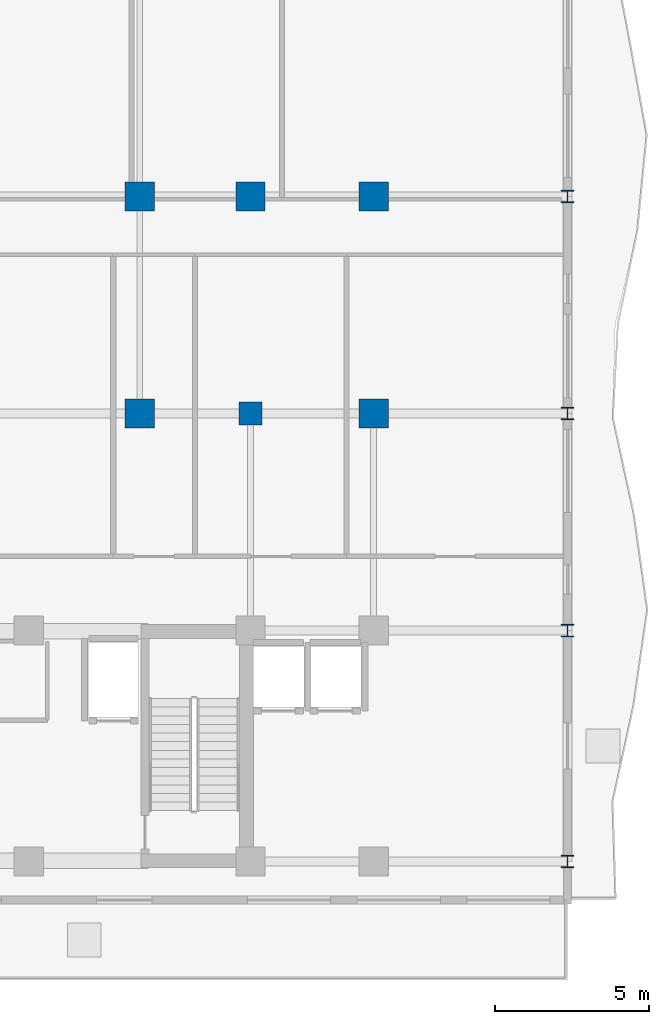
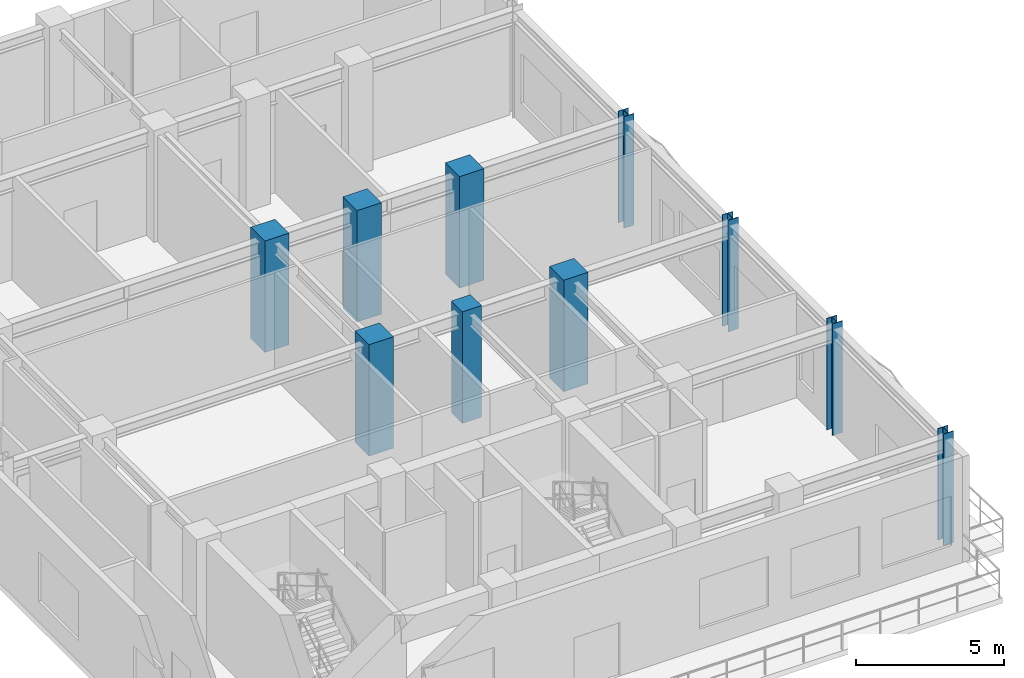
# One storey, part 2 of 14: 10 columns.
"""IFC4 building model written with IfcOpenShell, lengths in metres."""

from ifc_helpers import new_model, si_unit, direction, frame, origin, origin_2d, place, context, subcontext, project, spatial, rectangle, i_section, extrude, source, transform, mapped, material, material_profile, profile_set, type_object, element, save


model = new_model("IFC4")

# Units and contexts
model_context = context("Model", 3, precision=1e-05, world=origin(), true_north=direction((0.0, 1.0)))
body_context = subcontext(model_context, "Body", "Model", "MODEL_VIEW")
ifc_project = project(units=[si_unit("LENGTHUNIT", "METRE"), si_unit("AREAUNIT", "SQUARE_METRE"), si_unit("VOLUMEUNIT", "CUBIC_METRE"), si_unit("PLANEANGLEUNIT", "RADIAN"), si_unit("MASSUNIT", "GRAM", prefix="KILO")], contexts=[model_context])

# Site, building, storey
site_placement = place(None, origin())
site = spatial("IfcSite", under=ifc_project, at=site_placement, CompositionType="ELEMENT")
building_placement = place(site_placement, origin())
building = spatial("IfcBuilding", under=site, at=building_placement, Name="Kaliganga Portal Commons", CompositionType="ELEMENT")
storey_placement = place(building_placement, frame((0.0, 0.0, 197.199951171875)))
storey = spatial("IfcBuildingStorey", under=building, at=storey_placement, Name="L50", CompositionType="ELEMENT", Elevation=197.199951171875)

# Columns
ifc_material_1 = material(Name="Concrete C50/60", Category="concrete")
ifc_material_profile_1 = material_profile(ifc_material_1, rectangle(XDim=0.949951171875, YDim=0.949951171875, at=origin_2d()), Name="RC 950x950")
ifc_profile_set_1 = profile_set([ifc_material_profile_1], Name="Concrete C50/60")
column_type_1 = type_object("IfcColumnType", Name="COL-MEGA-Z4", PredefinedType="COLUMN", material=ifc_profile_set_1)
shared_shape_1 = source(origin(), body_context, "Body", "SweptSolid", [
    extrude(rectangle(XDim=0.949951171875, YDim=0.949951171875, at=origin_2d()), origin(), (0.0, 0.0, 1.0), 4.60009765625),
])
for number, where, z_axis, x_axis, name in (
    (1, (46.800048828125, 21.60009765625, 0.0), (0.0, 0.0, 1.0), (1.0, 0.0, 0.0), "Column MC-05 L50"),
    (2, (46.800048828125, 28.64990234375, 0.0), (0.0, 0.0, 1.0), (1.0, 0.0, 0.0), "Column MC-05 L50"),
    (3, (50.39990234375, 28.64990234375, 0.0), (0.0, 0.0, 1.0), (1.0, 0.0, 0.0), "Column MC-05 L50"),
    (4, (54.39990234375, 21.60009765625, 0.0), (0.0, 0.0, 1.0), (1.0, 0.0, 0.0), "Column MC-05 L50"),
    (5, (54.39990234375, 28.64990234375, 0.0), (0.0, 0.0, 1.0), (1.0, 0.0, 0.0), "Column MC-05 L50"),
):
    element("IfcColumn", number, at=place(storey_placement, frame(where, z_axis=z_axis, x_axis=x_axis)), inside=storey, type_object=column_type_1, Name=name, PredefinedType="COLUMN", context=body_context, shape_type="MappedRepresentation", body=[
        mapped(shared_shape_1, transform((0.0, 0.0, 0.0), x_axis=(1.0, 0.0, 0.0), y_axis=(0.0, 1.0, 0.0), z_axis=(0.0, 0.0, 1.0), scale=1.0)),
    ])
ifc_material_2 = material(Name="Concrete C60/75", Category="concrete")
ifc_material_profile_2 = material_profile(ifc_material_2, rectangle(XDim=0.75, YDim=0.75, at=origin_2d()), Name="RC 750x750")
ifc_profile_set_2 = profile_set([ifc_material_profile_2], Name="Concrete C60/75")
column_type_2 = type_object("IfcColumnType", Name="COL-PILASTER-RC", PredefinedType="PILASTER", material=ifc_profile_set_2)
shared_shape_2 = source(origin(), body_context, "Body", "SweptSolid", [
    extrude(rectangle(XDim=0.75, YDim=0.75, at=origin_2d()), origin(), (0.0, 0.0, 1.0), 4.60009765625),
])
column_placement = place(storey_placement, frame((50.39990234375, 21.60009765625, 0.0), z_axis=(0.0, 0.0, 1.0), x_axis=(1.0, 0.0, 0.0)))
element("IfcColumn", 6, at=column_placement, inside=storey, type_object=column_type_2, Name="Column CP-01 L50", PredefinedType="PILASTER", context=body_context, shape_type="MappedRepresentation", body=[
    mapped(shared_shape_2, transform((0.0, 0.0, 0.0), x_axis=(1.0, 0.0, 0.0), y_axis=(0.0, 1.0, 0.0), z_axis=(0.0, 0.0, 1.0), scale=1.0)),
])
ifc_material_3 = material(Name="Structural steel S355J2", Category="steel")
ifc_material_profile_3 = material_profile(ifc_material_3, i_section(OverallWidth=0.39892578125, OverallDepth=0.39990234375, WebThickness=0.017333984375, FlangeThickness=0.0234375, FilletRadius=0.014892578125, at=origin_2d()), Name="HD 400x287")
ifc_profile_set_3 = profile_set([ifc_material_profile_3], Name="Structural steel S355J2 wide-flange")
column_type_3 = type_object("IfcColumnType", Name="COL-TUBE-B4", PredefinedType="COLUMN", material=ifc_profile_set_3)
shared_shape_3 = source(origin(), body_context, "Body", "SweptSolid", [
    extrude(i_section(OverallWidth=0.39892578125, OverallDepth=0.39990234375, WebThickness=0.017333984375, FlangeThickness=0.0234375, FilletRadius=0.014892578125, at=origin_2d()), origin(), (0.0, 0.0, 1.0), 4.60009765625),
])
for number, where, z_axis, x_axis, name in (
    (7, (60.699951171875, 7.050048828125, 0.0), (0.0, 0.0, 1.0), (1.0, 0.0, 0.0), "Column TC-04 L50"),
    (8, (60.699951171875, 14.550048828125, 0.0), (0.0, 0.0, 1.0), (1.0, 0.0, 0.0), "Column TC-04 L50"),
    (9, (60.699951171875, 21.60009765625, 0.0), (0.0, 0.0, 1.0), (1.0, 0.0, 0.0), "Column TC-04 L50"),
    (10, (60.699951171875, 28.64990234375, 0.0), (0.0, 0.0, 1.0), (1.0, 0.0, 0.0), "Column TC-04 L50"),
):
    element("IfcColumn", number, at=place(storey_placement, frame(where, z_axis=z_axis, x_axis=x_axis)), inside=storey, type_object=column_type_3, Name=name, PredefinedType="COLUMN", context=body_context, shape_type="MappedRepresentation", body=[
        mapped(shared_shape_3, transform((0.0, 0.0, 0.0), x_axis=(1.0, 0.0, 0.0), y_axis=(0.0, 1.0, 0.0), z_axis=(0.0, 0.0, 1.0), scale=1.0)),
    ])

save(model, "model.ifc")
